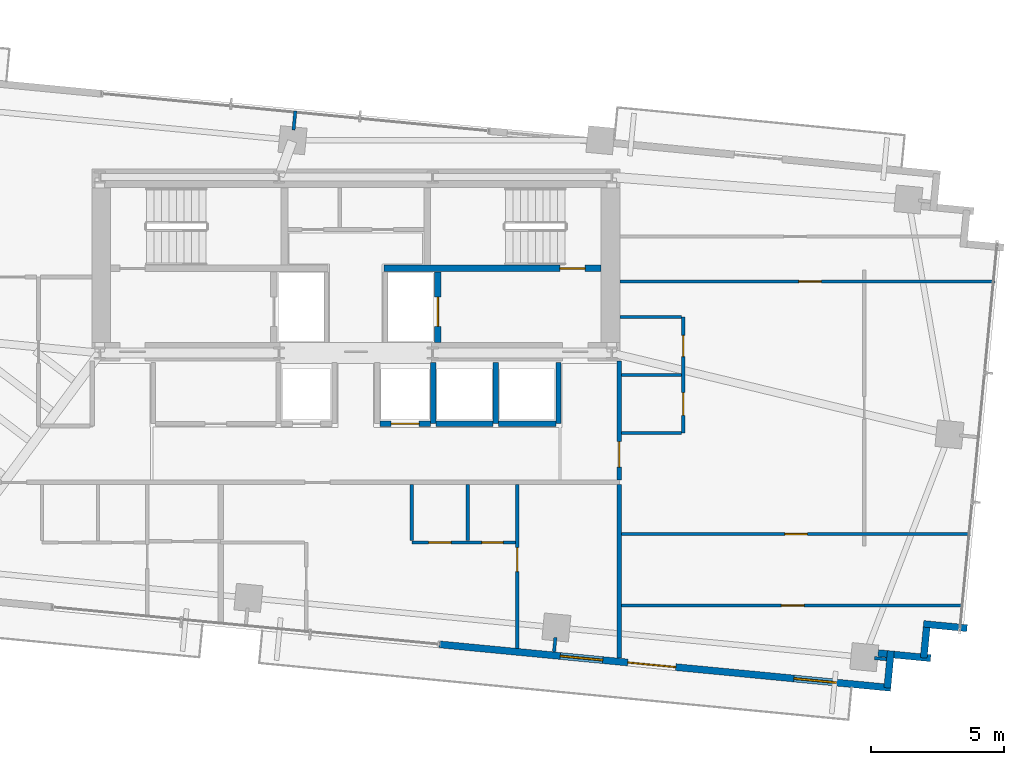
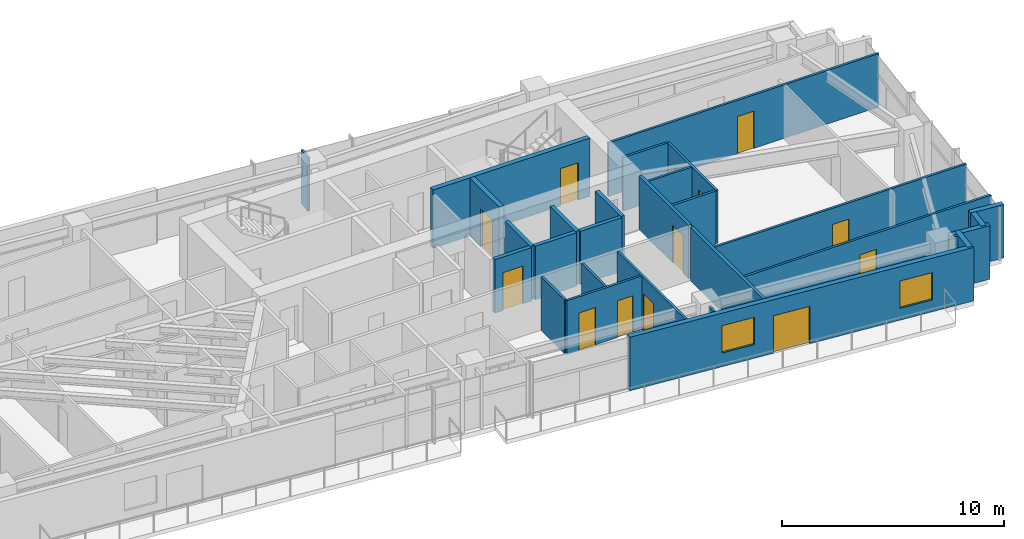
# One storey, part 17 of 20: 29 walls, 13 doors, 2 windows, 15 openings.
"""IFC4 building model written with IfcOpenShell, lengths in metres."""

from ifc_helpers import new_model, si_unit, direction, frame, frame_2d, origin, place, context, subcontext, project, spatial, rectangle, extrude, source, transform, mapped, material, layer, layer_set, type_object, type_shapes, element, fill, save


model = new_model("IFC4")

# Units and contexts
model_context = context("Model", 3, precision=1e-05, world=origin(), true_north=direction((0.0, 1.0)))
body_context = subcontext(model_context, "Body", "Model", "MODEL_VIEW")
ifc_project = project(units=[si_unit("LENGTHUNIT", "METRE"), si_unit("AREAUNIT", "SQUARE_METRE"), si_unit("VOLUMEUNIT", "CUBIC_METRE"), si_unit("PLANEANGLEUNIT", "RADIAN"), si_unit("MASSUNIT", "GRAM", prefix="KILO")], contexts=[model_context])

# Site, building, storey
site_placement = place(None, origin())
site = spatial("IfcSite", under=ifc_project, at=site_placement, CompositionType="ELEMENT")
building_placement = place(site_placement, origin())
building = spatial("IfcBuilding", under=site, at=building_placement, Name="Astriad Promenade Condominiums", CompositionType="ELEMENT")
storey_placement = place(building_placement, frame((0.0, 0.0, 127.800048828125)))
storey = spatial("IfcBuildingStorey", under=building, at=storey_placement, Name="L36", CompositionType="ELEMENT", Elevation=127.800048828125)

# Wall, opening, door
ifc_material_1 = material(Name="Concrete C50/60", Category="concrete")
ifc_layer_1 = layer(ifc_material_1, 0.25)
ifc_layer_set_1 = layer_set([ifc_layer_1], Name="Concrete C50/60")
wall_type_1 = type_object("IfcWallType", Name="WALL-CORE-INT-250", PredefinedType="SOLIDWALL", material=ifc_layer_set_1)
wall_1_placement = place(storey_placement, frame((37.050048828125, 20.574951171875, 0.0), z_axis=(0.0, 0.0, 1.0), x_axis=(1.0, 0.0, 0.0)))
wall_1 = element("IfcWall", 1, at=wall_1_placement, inside=storey, type_object=wall_type_1, Name="CW-INT-H2-L36", PredefinedType="SOLIDWALL", context=body_context, shape_type="SweptSolid", body=[
    extrude(rectangle(XDim=8.14794921875, YDim=0.25, at=frame_2d((4.073974609375, 0.0))), origin(), (0.0, 0.0, 1.0), 3.199951171875),
])
opening_1_placement = place(wall_1_placement, frame((6.60009765625, 0.0, 0.0)))
opening_1 = element("IfcOpeningElement", 2, at=opening_1_placement, cuts=wall_1, Name="Opening FD90-ST-095", PredefinedType="OPENING", context=body_context, shape_type="SweptSolid", body=[
    extrude(rectangle(XDim=0.949951171875, YDim=2.06005859375, at=frame_2d((0.47509765625, 1.030029296875))), frame((0.0, 0.135009765625, 0.0), z_axis=(0.0, -1.0, 0.0), x_axis=(1.0, 0.0, 0.0)), (0.0, 0.0, 1.0), 0.27001953125),
])
ifc_material_2 = material(Name="Fire-Rated Hollow Metal Stair Door")
door_type_1 = type_object("IfcDoorType", Name="FD90-ST-095", OperationType="NOTDEFINED", PredefinedType="DOOR", material=ifc_material_2)
shared_shape_1 = source(origin(), body_context, "Body", "SweptSolid", [
    extrude(rectangle(XDim=0.949951171875, YDim=2.06005859375, at=frame_2d((0.47509765625, 1.030029296875))), frame((0.0, 0.02490234375, 0.0), z_axis=(0.0, -1.0, 0.0), x_axis=(1.0, 0.0, 0.0)), (0.0, 0.0, 1.0), 0.050048828125),
])
type_shapes(door_type_1, [shared_shape_1])
door_1_placement = place(opening_1_placement, origin())
door_1 = element("IfcDoor", 3, at=door_1_placement, inside=storey, type_object=door_type_1, Name="D-ST2-L36", OperationType="SINGLE_SWING_LEFT", OverallHeight=2.06005859375, OverallWidth=0.949951171875, PredefinedType="DOOR", context=body_context, shape_type="MappedRepresentation", body=[
    mapped(shared_shape_1, transform((0.0, 0.0, 0.0), scale=1.0)),
])
fill(opening_1, door_1)

wall_2_placement = place(storey_placement, frame((39.074951171875, 17.802001953125, 0.0), z_axis=(0.0, 0.0, 1.0), x_axis=(0.0, 1.0, 0.0)))
wall_2 = element("IfcWall", 4, at=wall_2_placement, inside=storey, type_object=wall_type_1, Name="CW-FFL2-E-L36", PredefinedType="SOLIDWALL", context=body_context, shape_type="SweptSolid", body=[
    extrude(rectangle(XDim=2.64599609375, YDim=0.25, at=frame_2d((1.322998046875, 0.0))), origin(), (0.0, 0.0, 1.0), 3.199951171875),
])
opening_2_placement = place(wall_2_placement, frame((0.597900390625, 0.0, 0.0)))
opening_2 = element("IfcOpeningElement", 5, at=opening_2_placement, cuts=wall_2, Name="Opening LD-FFL-1122", PredefinedType="OPENING", context=body_context, shape_type="SweptSolid", body=[
    extrude(rectangle(XDim=1.10009765625, YDim=2.080078125, at=frame_2d((0.550048828125, 1.0400390625))), frame((0.0, 0.135009765625, 0.0), z_axis=(0.0, -1.0, 0.0), x_axis=(1.0, 0.0, 0.0)), (0.0, 0.0, 1.0), 0.27001953125),
])
ifc_material_3 = material(Name="Brushed Stainless Steel Fire Elevator Landing Door", Category="steel")
door_type_2 = type_object("IfcDoorType", Name="LD-FFL-1122", OperationType="NOTDEFINED", PredefinedType="DOOR", material=ifc_material_3)
shared_shape_2 = source(origin(), body_context, "Body", "SweptSolid", [
    extrude(rectangle(XDim=1.10009765625, YDim=2.080078125, at=frame_2d((0.550048828125, 1.0400390625))), frame((0.0, 0.02490234375, 0.0), z_axis=(0.0, -1.0, 0.0), x_axis=(1.0, 0.0, 0.0)), (0.0, 0.0, 1.0), 0.050048828125),
])
type_shapes(door_type_2, [shared_shape_2])
door_2_placement = place(opening_2_placement, origin())
door_2 = element("IfcDoor", 6, at=door_2_placement, inside=storey, type_object=door_type_2, Name="Elevator Landing Door FFL-2 (L36)", OperationType="SLIDING_TO_RIGHT", OverallHeight=2.080078125, OverallWidth=1.10009765625, PredefinedType="DOOR", context=body_context, shape_type="MappedRepresentation", body=[
    mapped(shared_shape_2, transform((0.0, 0.0, 0.0), scale=1.0)),
])
fill(opening_2, door_2)

# Wall
ifc_material_4 = material(Name="Fire-Rated Gypsum Partition")
ifc_layer_2 = layer(ifc_material_4, 0.159912109375)
ifc_layer_set_2 = layer_set([ifc_layer_2], Name="Fire-Rated Gypsum Partition")
wall_type_2 = type_object("IfcWallType", Name="WALL-CORR-160", PredefinedType="PARTITIONING", material=ifc_layer_set_2)
wall_3_placement = place(storey_placement, frame((45.8798828125, 5.95849609375, 0.0), z_axis=(0.0, 0.0, 1.0), x_axis=(0.0, 1.0, 0.0)))
element("IfcWall", 7, at=wall_3_placement, inside=storey, type_object=wall_type_2, Name="PT-COR-E-L36", PredefinedType="PARTITIONING", context=body_context, shape_type="SweptSolid", body=[
    extrude(rectangle(XDim=6.509521484375, YDim=0.159912109375, at=frame_2d((3.2548828125, 0.0))), origin(), (0.0, 0.0, 1.0), 2.93994140625),
])

# Wall, opening, door
wall_4_placement = place(storey_placement, frame((45.8798828125, 12.632080078125, 0.0), z_axis=(0.0, 0.0, 1.0), x_axis=(0.0, 1.0, 0.0)))
wall_4 = element("IfcWall", 8, at=wall_4_placement, inside=storey, type_object=wall_type_2, Name="PT-COR-E-L36-S2", PredefinedType="PARTITIONING", context=body_context, shape_type="SweptSolid", body=[
    extrude(rectangle(XDim=4.4658203125, YDim=0.159912109375, at=frame_2d((2.23291015625, 0.0))), origin(), (0.0, 0.0, 1.0), 2.93994140625),
])
opening_3_placement = place(wall_4_placement, frame((0.492919921875, 0.0, 0.0)))
opening_3 = element("IfcOpeningElement", 9, at=opening_3_placement, cuts=wall_4, Name="Opening FD60-APT-095", PredefinedType="OPENING", context=body_context, shape_type="SweptSolid", body=[
    extrude(rectangle(XDim=0.949951171875, YDim=2.06005859375, at=frame_2d((0.47509765625, 1.030029296875))), frame((0.0, 0.08984375, 0.0), z_axis=(0.0, -1.0, 0.0), x_axis=(1.0, 0.0, 0.0)), (0.0, 0.0, 1.0), 0.179931640625),
])
ifc_material_5 = material(Name="Solid-Core Acoustic Timber Residence Entry Door", Category="wood")
door_type_3 = type_object("IfcDoorType", Name="FD60-APT-095", OperationType="NOTDEFINED", PredefinedType="DOOR", material=ifc_material_5)
shared_shape_3 = source(origin(), body_context, "Body", "SweptSolid", [
    extrude(rectangle(XDim=0.949951171875, YDim=2.06005859375, at=frame_2d((0.47509765625, 1.030029296875))), frame((0.0, 0.02490234375, 0.0), z_axis=(0.0, -1.0, 0.0), x_axis=(1.0, 0.0, 0.0)), (0.0, 0.0, 1.0), 0.050048828125),
])
type_shapes(door_type_3, [shared_shape_3])
door_3_placement = place(opening_3_placement, origin())
door_3 = element("IfcDoor", 10, at=door_3_placement, inside=storey, type_object=door_type_3, Name="D-ENT-L36-E1", OperationType="SINGLE_SWING_LEFT", OverallHeight=2.06005859375, OverallWidth=0.949951171875, PredefinedType="DOOR", context=body_context, shape_type="MappedRepresentation", body=[
    mapped(shared_shape_3, transform((0.0, 0.0, 0.0), scale=1.0)),
])
fill(opening_3, door_3)

# Walls
ifc_material_6 = material(Name="Precast concrete C50/60", Category="concrete")
ifc_layer_3 = layer(ifc_material_6, 0.260009765625)
ifc_layer_set_3 = layer_set([ifc_layer_3], Name="Precast concrete C50/60")
wall_type_3 = type_object("IfcWallType", Name="WALL-EXT-TWR-260", PredefinedType="STANDARD", material=ifc_layer_set_3)
wall_5_placement = place(storey_placement, frame((58.918701171875, 7.081787109375, 0.0), z_axis=(0.0, 0.0, 1.0), x_axis=(-0.995393194909, 0.095876939504, 0.0)))
element("IfcWall", 11, at=wall_5_placement, inside=storey, type_object=wall_type_3, Name="W-SER-L36-14", PredefinedType="STANDARD", context=body_context, shape_type="SweptSolid", body=[
    extrude(rectangle(XDim=1.639892578125, YDim=0.260009765625, at=frame_2d((0.81982421875, 0.0))), origin(), (0.0, 0.0, 1.0), 2.93994140625),
])
wall_6_placement = place(storey_placement, frame((57.40478515625, 7.112060546875, 0.0), z_axis=(0.0, 0.0, 1.0), x_axis=(-0.095971333708, -0.995384098279, 0.0)))
element("IfcWall", 12, at=wall_6_placement, inside=storey, type_object=wall_type_3, Name="W-SER-L36-15", PredefinedType="STANDARD", context=body_context, shape_type="SweptSolid", body=[
    extrude(rectangle(XDim=1.14990234375, YDim=0.260009765625, at=frame_2d((0.574951171875, 0.0))), origin(), (0.0, 0.0, 1.0), 2.93994140625),
])
wall_7_placement = place(storey_placement, frame((57.5546875, 5.95751953125, 0.0), z_axis=(0.0, 0.0, 1.0), x_axis=(-0.995401789159, 0.095787672171, 0.0)))
element("IfcWall", 13, at=wall_7_placement, inside=storey, type_object=wall_type_3, Name="W-SER-L36-16", PredefinedType="STANDARD", context=body_context, shape_type="SweptSolid", body=[
    extrude(rectangle(XDim=1.977783203125, YDim=0.260009765625, at=frame_2d((0.98876953125, 0.0))), origin(), (0.0, 0.0, 1.0), 2.93994140625),
])
wall_8_placement = place(storey_placement, frame((56.064208984375, 6.231689453125, 0.0), z_axis=(0.0, 0.0, 1.0), x_axis=(-0.09589913835, -0.995391056452, 0.0)))
element("IfcWall", 14, at=wall_8_placement, inside=storey, type_object=wall_type_3, Name="W-SER-L36-17", PredefinedType="STANDARD", context=body_context, shape_type="SweptSolid", body=[
    extrude(rectangle(XDim=1.39501953125, YDim=0.260009765625, at=frame_2d((0.697509765625, 0.0))), origin(), (0.0, 0.0, 1.0), 2.93994140625),
])

# Wall, openings, door, windows
wall_9_placement = place(storey_placement, frame((56.061279296875, 4.845458984375, 0.0), z_axis=(0.0, 0.0, 1.0), x_axis=(-0.995395976631, 0.095848055311, 0.0)))
wall_9 = element("IfcWall", 15, at=wall_9_placement, inside=storey, type_object=wall_type_3, Name="W-EXT-L36-S1", PredefinedType="STANDARD", context=body_context, shape_type="SweptSolid", body=[
    extrude(rectangle(XDim=17.010009765625, YDim=0.260009765625, at=frame_2d((8.5048828125, 0.0))), origin(), (0.0, 0.0, 1.0), 2.93994140625),
])
opening_4_placement = place(wall_9_placement, frame((8.10400390625, 0.0, 0.0)))
opening_4 = element("IfcOpeningElement", 16, at=opening_4_placement, cuts=wall_9, Name="Opening BD-1822-SLD", PredefinedType="OPENING", context=body_context, shape_type="SweptSolid", body=[
    extrude(rectangle(XDim=1.800048828125, YDim=2.06005859375, at=frame_2d((0.89990234375, 1.030029296875))), frame((0.0, 0.139892578125, 0.0), z_axis=(0.0, -1.0, 0.0), x_axis=(1.0, 0.0, 0.0)), (0.0, 0.0, 1.0), 0.280029296875),
])
opening_5_placement = place(wall_9_placement, frame((2.050048828125, 0.0, 0.64990234375)))
opening_5 = element("IfcOpeningElement", 17, at=opening_5_placement, cuts=wall_9, Name="Opening WIN-TWR-1620", PredefinedType="OPENING", context=body_context, shape_type="SweptSolid", body=[
    extrude(rectangle(XDim=1.60009765625, YDim=1.5, at=frame_2d((0.800048828125, 0.75))), frame((0.0, 0.139892578125, 0.0), z_axis=(0.0, -1.0, 0.0), x_axis=(1.0, 0.0, 0.0)), (0.0, 0.0, 1.0), 0.280029296875),
])
opening_6_placement = place(wall_9_placement, frame((10.85205078125, 0.0, 0.75)))
opening_6 = element("IfcOpeningElement", 18, at=opening_6_placement, cuts=wall_9, Name="Opening WIN-TWR-1620", PredefinedType="OPENING", context=body_context, shape_type="SweptSolid", body=[
    extrude(rectangle(XDim=1.60009765625, YDim=1.5, at=frame_2d((0.800048828125, 0.75))), frame((0.0, 0.139892578125, 0.0), z_axis=(0.0, -1.0, 0.0), x_axis=(1.0, 0.0, 0.0)), (0.0, 0.0, 1.0), 0.280029296875),
])
ifc_material_7 = material(Name="Thermally Broken Aluminium Sliding Balcony Door", Category="aluminium")
door_type_4 = type_object("IfcDoorType", Name="BD-1822-SLD", OperationType="NOTDEFINED", PredefinedType="DOOR", material=ifc_material_7)
shared_shape_4 = source(origin(), body_context, "Body", "SweptSolid", [
    extrude(rectangle(XDim=1.800048828125, YDim=2.06005859375, at=frame_2d((0.89990234375, 1.030029296875))), frame((0.0, 0.02490234375, 0.0), z_axis=(0.0, -1.0, 0.0), x_axis=(1.0, 0.0, 0.0)), (0.0, 0.0, 1.0), 0.050048828125),
])
type_shapes(door_type_4, [shared_shape_4])
door_4_placement = place(opening_4_placement, origin())
door_4 = element("IfcDoor", 19, at=door_4_placement, inside=storey, type_object=door_type_4, Name="BD-L36-SE", OperationType="SLIDING_TO_RIGHT", OverallHeight=2.06005859375, OverallWidth=1.800048828125, PredefinedType="DOOR", context=body_context, shape_type="MappedRepresentation", body=[
    mapped(shared_shape_4, transform((0.0, 0.0, 0.0), scale=1.0)),
])
fill(opening_4, door_4)
ifc_material_8 = material(Name="Dark Tinted Triple-Glazed Aluminium Window", Category="aluminium")
window_type = type_object("IfcWindowType", Name="WIN-TWR-1620", PartitioningType="SINGLE_PANEL", PredefinedType="WINDOW", material=ifc_material_8)
shared_shape_5 = source(origin(), body_context, "Body", "SweptSolid", [
    extrude(rectangle(XDim=1.60009765625, YDim=1.5, at=frame_2d((0.800048828125, 0.75))), frame((0.0, 0.030029296875, 0.0), z_axis=(0.0, -1.0, 0.0), x_axis=(1.0, 0.0, 0.0)), (0.0, 0.0, 1.0), 0.06005859375),
])
type_shapes(window_type, [shared_shape_5])
window_1_placement = place(opening_5_placement, origin())
window_1 = element("IfcWindow", 20, at=window_1_placement, inside=storey, type_object=window_type, Name="WIN-L36-SE", OverallHeight=1.5, OverallWidth=1.60009765625, PartitioningType="SINGLE_PANEL", PredefinedType="WINDOW", context=body_context, shape_type="MappedRepresentation", body=[
    mapped(shared_shape_5, transform((0.0, 0.0, 0.0), scale=1.0)),
])
fill(opening_5, window_1)
window_2_placement = place(opening_6_placement, origin())
window_2 = element("IfcWindow", 21, at=window_2_placement, inside=storey, type_object=window_type, Name="WIN-DW-L36-S2-BD1", OverallHeight=1.5, OverallWidth=1.60009765625, PartitioningType="SINGLE_PANEL", PredefinedType="WINDOW", context=body_context, shape_type="MappedRepresentation", body=[
    mapped(shared_shape_5, transform((0.0, 0.0, 0.0), scale=1.0)),
])
fill(opening_6, window_2)

# Wall, opening, door
ifc_material_9 = material(Name="Acoustic Metal-Stud Gypsum Partition")
ifc_layer_4 = layer(ifc_material_9, 0.1201171875)
ifc_layer_set_4 = layer_set([ifc_layer_4], Name="Acoustic Metal-Stud Gypsum Partition")
wall_type_4 = type_object("IfcWallType", Name="WALL-PART-120", PredefinedType="PARTITIONING", material=ifc_layer_set_4)
wall_10_placement = place(storey_placement, frame((42.050048828125, 6.3271484375, 0.0), z_axis=(0.0, 0.0, 1.0), x_axis=(0.0, 1.0, 0.0)))
wall_10 = element("IfcWall", 22, at=wall_10_placement, inside=storey, type_object=wall_type_4, Name="PT-L36-S2-BD1", PredefinedType="PARTITIONING", context=body_context, shape_type="SweptSolid", body=[
    extrude(rectangle(XDim=6.140869140625, YDim=0.1201171875, at=frame_2d((3.0703125, 0.0))), origin(), (0.0, 0.0, 1.0), 2.93994140625),
])
opening_7_placement = place(wall_10_placement, frame((2.872802734375, 0.0, 0.0)))
opening_7 = element("IfcOpeningElement", 23, at=opening_7_placement, cuts=wall_10, Name="Opening D-INT-090", PredefinedType="OPENING", context=body_context, shape_type="SweptSolid", body=[
    extrude(rectangle(XDim=0.89990234375, YDim=2.050048828125, at=frame_2d((0.449951171875, 1.02490234375))), frame((0.0, 0.070068359375, 0.0), z_axis=(0.0, -1.0, 0.0), x_axis=(1.0, 0.0, 0.0)), (0.0, 0.0, 1.0), 0.14013671875),
])
ifc_material_10 = material(Name="Painted Solid-Core Timber Bedroom Door", Category="wood")
door_type_5 = type_object("IfcDoorType", Name="D-INT-090", OperationType="NOTDEFINED", PredefinedType="DOOR", material=ifc_material_10)
shared_shape_6 = source(origin(), body_context, "Body", "SweptSolid", [
    extrude(rectangle(XDim=0.89990234375, YDim=2.050048828125, at=frame_2d((0.449951171875, 1.02490234375))), frame((0.0, 0.02490234375, 0.0), z_axis=(0.0, -1.0, 0.0), x_axis=(1.0, 0.0, 0.0)), (0.0, 0.0, 1.0), 0.050048828125),
])
type_shapes(door_type_5, [shared_shape_6])
door_5_placement = place(opening_7_placement, origin())
door_5 = element("IfcDoor", 24, at=door_5_placement, inside=storey, type_object=door_type_5, Name="D-BD1-L36-S2", OperationType="SINGLE_SWING_RIGHT", OverallHeight=2.050048828125, OverallWidth=0.89990234375, PredefinedType="DOOR", context=body_context, shape_type="MappedRepresentation", body=[
    mapped(shared_shape_6, transform((0.0, 0.0, 0.0), scale=1.0)),
])
fill(opening_7, door_5)

# Wall, openings, doors
wall_11_placement = place(storey_placement, frame((38.10009765625, 10.300048828125, 0.0), z_axis=(0.0, 0.0, 1.0), x_axis=(1.0, 0.0, 0.0)))
wall_11 = element("IfcWall", 25, at=wall_11_placement, inside=storey, type_object=wall_type_4, Name="PT-L36-S2-PS", PredefinedType="PARTITIONING", context=body_context, shape_type="SweptSolid", body=[
    extrude(rectangle(XDim=3.887939453125, YDim=0.1201171875, at=frame_2d((1.94384765625, 0.0))), origin(), (0.0, 0.0, 1.0), 2.93994140625),
])
opening_8_placement = place(wall_11_placement, frame((0.625, 0.0, 0.0)))
opening_8 = element("IfcOpeningElement", 26, at=opening_8_placement, cuts=wall_11, Name="Opening D-INT-085", PredefinedType="OPENING", context=body_context, shape_type="SweptSolid", body=[
    extrude(rectangle(XDim=0.85009765625, YDim=2.050048828125, at=frame_2d((0.425048828125, 1.02490234375))), frame((0.0, 0.070068359375, 0.0), z_axis=(0.0, -1.0, 0.0), x_axis=(1.0, 0.0, 0.0)), (0.0, 0.0, 1.0), 0.14013671875),
])
opening_9_placement = place(wall_11_placement, frame((2.625, 0.0, 0.0)))
opening_9 = element("IfcOpeningElement", 27, at=opening_9_placement, cuts=wall_11, Name="Opening D-WET-080", PredefinedType="OPENING", context=body_context, shape_type="SweptSolid", body=[
    extrude(rectangle(XDim=0.800048828125, YDim=2.02001953125, at=frame_2d((0.39990234375, 1.010009765625))), frame((0.0, 0.070068359375, 0.0), z_axis=(0.0, -1.0, 0.0), x_axis=(1.0, 0.0, 0.0)), (0.0, 0.0, 1.0), 0.14013671875),
])
ifc_material_11 = material(Name="Moisture-Resistant Timber Bathroom Door", Category="wood")
door_type_6 = type_object("IfcDoorType", Name="D-WET-080", OperationType="NOTDEFINED", PredefinedType="DOOR", material=ifc_material_11)
shared_shape_7 = source(origin(), body_context, "Body", "SweptSolid", [
    extrude(rectangle(XDim=0.800048828125, YDim=2.02001953125, at=frame_2d((0.39990234375, 1.010009765625))), frame((0.0, 0.02490234375, 0.0), z_axis=(0.0, -1.0, 0.0), x_axis=(1.0, 0.0, 0.0)), (0.0, 0.0, 1.0), 0.050048828125),
])
type_shapes(door_type_6, [shared_shape_7])
door_6_placement = place(opening_9_placement, origin())
door_6 = element("IfcDoor", 28, at=door_6_placement, inside=storey, type_object=door_type_6, Name="D-BTH-L36-S2", OperationType="SINGLE_SWING_RIGHT", OverallHeight=2.02001953125, OverallWidth=0.800048828125, PredefinedType="DOOR", context=body_context, shape_type="MappedRepresentation", body=[
    mapped(shared_shape_7, transform((0.0, 0.0, 0.0), scale=1.0)),
])
fill(opening_9, door_6)
ifc_material_12 = material(Name="Painted Solid-Core Timber Room Door", Category="wood")
door_type_7 = type_object("IfcDoorType", Name="D-INT-085", OperationType="NOTDEFINED", PredefinedType="DOOR", material=ifc_material_12)
shared_shape_8 = source(origin(), body_context, "Body", "SweptSolid", [
    extrude(rectangle(XDim=0.85009765625, YDim=2.050048828125, at=frame_2d((0.425048828125, 1.02490234375))), frame((0.0, 0.02490234375, 0.0), z_axis=(0.0, -1.0, 0.0), x_axis=(1.0, 0.0, 0.0)), (0.0, 0.0, 1.0), 0.050048828125),
])
type_shapes(door_type_7, [shared_shape_8])
door_7_placement = place(opening_8_placement, origin())
door_7 = element("IfcDoor", 29, at=door_7_placement, inside=storey, type_object=door_type_7, Name="D-KIT-L36-S2", OperationType="SINGLE_SWING_LEFT", OverallHeight=2.050048828125, OverallWidth=0.85009765625, PredefinedType="DOOR", context=body_context, shape_type="MappedRepresentation", body=[
    mapped(shared_shape_8, transform((0.0, 0.0, 0.0), scale=1.0)),
])
fill(opening_8, door_7)

# Walls
for number, where, z_axis, x_axis, name in (
    (30, (40.199951171875, 10.362060546875, 0.0), (0.0, 0.0, 1.0), (0.0, 1.0, 0.0), "PT-L36-S2-PBK"),
    (31, (38.10009765625, 10.362060546875, 0.0), (0.0, 0.0, 1.0), (0.0, 1.0, 0.0), "PT-L36-S2-PKW"),
):
    element("IfcWall", number, at=place(storey_placement, frame(where, z_axis=z_axis, x_axis=x_axis)), inside=storey, type_object=wall_type_4, Name=name, PredefinedType="PARTITIONING", context=body_context, shape_type="SweptSolid", body=[
        extrude(rectangle(XDim=2.10595703125, YDim=0.1201171875, at=frame_2d((1.052978515625, 0.0))), origin(), (0.0, 0.0, 1.0), 2.93994140625),
    ])

# Wall, openings, doors
wall_12_placement = place(storey_placement, frame((48.280029296875, 14.39990234375, 0.0), z_axis=(0.0, 0.0, 1.0), x_axis=(0.0, 1.0, 0.0)))
wall_12 = element("IfcWall", 32, at=wall_12_placement, inside=storey, type_object=wall_type_4, Name="PT-L36-E1-PV", PredefinedType="PARTITIONING", context=body_context, shape_type="SweptSolid", body=[
    extrude(rectangle(XDim=4.35009765625, YDim=0.1201171875, at=frame_2d((2.175048828125, 0.0))), origin(), (0.0, 0.0, 1.0), 2.93994140625),
])
opening_10_placement = place(wall_12_placement, frame((0.6630859375, 0.0, 0.0)))
opening_10 = element("IfcOpeningElement", 33, at=opening_10_placement, cuts=wall_12, Name="Opening D-INT-085", PredefinedType="OPENING", context=body_context, shape_type="SweptSolid", body=[
    extrude(rectangle(XDim=0.85009765625, YDim=2.050048828125, at=frame_2d((0.425048828125, 1.02490234375))), frame((0.0, 0.070068359375, 0.0), z_axis=(0.0, -1.0, 0.0), x_axis=(1.0, 0.0, 0.0)), (0.0, 0.0, 1.0), 0.14013671875),
])
opening_11_placement = place(wall_12_placement, frame((2.863037109375, 0.0, 0.0)))
opening_11 = element("IfcOpeningElement", 34, at=opening_11_placement, cuts=wall_12, Name="Opening D-WET-080", PredefinedType="OPENING", context=body_context, shape_type="SweptSolid", body=[
    extrude(rectangle(XDim=0.800048828125, YDim=2.02001953125, at=frame_2d((0.39990234375, 1.010009765625))), frame((0.0, 0.070068359375, 0.0), z_axis=(0.0, -1.0, 0.0), x_axis=(1.0, 0.0, 0.0)), (0.0, 0.0, 1.0), 0.14013671875),
])
door_8_placement = place(opening_11_placement, origin())
door_8 = element("IfcDoor", 35, at=door_8_placement, inside=storey, type_object=door_type_6, Name="D-BTH-L36-E1", OperationType="SINGLE_SWING_LEFT", OverallHeight=2.02001953125, OverallWidth=0.800048828125, PredefinedType="DOOR", context=body_context, shape_type="MappedRepresentation", body=[
    mapped(shared_shape_7, transform((0.0, 0.0, 0.0), scale=1.0)),
])
fill(opening_11, door_8)
door_9_placement = place(opening_10_placement, origin())
door_9 = element("IfcDoor", 36, at=door_9_placement, inside=storey, type_object=door_type_7, Name="D-KIT-L36-E1", OperationType="SINGLE_SWING_RIGHT", OverallHeight=2.050048828125, OverallWidth=0.85009765625, PredefinedType="DOOR", context=body_context, shape_type="MappedRepresentation", body=[
    mapped(shared_shape_8, transform((0.0, 0.0, 0.0), scale=1.0)),
])
fill(opening_10, door_9)

# Walls
for number, where, z_axis, x_axis, name in (
    (37, (45.9619140625, 16.574951171875, 0.0), (0.0, 0.0, 1.0), (1.0, 0.0, 0.0), "PT-L36-E1-PM"),
    (38, (45.9619140625, 14.39990234375, 0.0), (0.0, 0.0, 1.0), (1.0, 0.0, 0.0), "PT-L36-E1-PS"),
):
    element("IfcWall", number, at=place(storey_placement, frame(where, z_axis=z_axis, x_axis=x_axis)), inside=storey, type_object=wall_type_4, Name=name, PredefinedType="PARTITIONING", context=body_context, shape_type="SweptSolid", body=[
        extrude(rectangle(XDim=2.256103515625, YDim=0.1201171875, at=frame_2d((1.1279296875, 0.0))), origin(), (0.0, 0.0, 1.0), 2.93994140625),
    ])
wall_13_placement = place(storey_placement, frame((45.902099609375, 18.75, 0.0), z_axis=(0.0, 0.0, 1.0), x_axis=(1.0, 0.0, 0.0)))
element("IfcWall", 39, at=wall_13_placement, inside=storey, type_object=wall_type_4, Name="PT-L36-E1-PN", PredefinedType="PARTITIONING", context=body_context, shape_type="SweptSolid", body=[
    extrude(rectangle(XDim=2.31591796875, YDim=0.1201171875, at=frame_2d((1.157958984375, 0.0))), origin(), (0.0, 0.0, 1.0), 2.93994140625),
])

# Wall, opening, door
wall_14_placement = place(storey_placement, frame((45.9619140625, 7.931884765625, 0.0), z_axis=(0.0, 0.0, 1.0), x_axis=(1.0, 0.0, 0.0)))
wall_14 = element("IfcWall", 40, at=wall_14_placement, inside=storey, type_object=wall_type_4, Name="PT-L36-E1-B2", PredefinedType="PARTITIONING", context=body_context, shape_type="SweptSolid", body=[
    extrude(rectangle(XDim=12.827880859375, YDim=0.1201171875, at=frame_2d((6.4140625, 0.0))), origin(), (0.0, 0.0, 1.0), 2.93994140625),
])
opening_12_placement = place(wall_14_placement, frame((5.9951171875, 0.0, 0.0)))
opening_12 = element("IfcOpeningElement", 41, at=opening_12_placement, cuts=wall_14, Name="Opening D-INT-085", PredefinedType="OPENING", context=body_context, shape_type="SweptSolid", body=[
    extrude(rectangle(XDim=0.85009765625, YDim=2.050048828125, at=frame_2d((0.425048828125, 1.02490234375))), frame((0.0, 0.070068359375, 0.0), z_axis=(0.0, -1.0, 0.0), x_axis=(1.0, 0.0, 0.0)), (0.0, 0.0, 1.0), 0.14013671875),
])
door_10_placement = place(opening_12_placement, origin())
door_10 = element("IfcDoor", 42, at=door_10_placement, inside=storey, type_object=door_type_7, Name="D-BD2-L36-E1", OperationType="SINGLE_SWING_LEFT", OverallHeight=2.050048828125, OverallWidth=0.85009765625, PredefinedType="DOOR", context=body_context, shape_type="MappedRepresentation", body=[
    mapped(shared_shape_8, transform((0.0, 0.0, 0.0), scale=1.0)),
])
fill(opening_12, door_10)

wall_15_placement = place(storey_placement, frame((45.9619140625, 10.60888671875, 0.0), z_axis=(0.0, 0.0, 1.0), x_axis=(1.0, 0.0, 0.0)))
wall_15 = element("IfcWall", 43, at=wall_15_placement, inside=storey, type_object=wall_type_4, Name="PT-L36-E1-WDS1", PredefinedType="PARTITIONING", context=body_context, shape_type="SweptSolid", body=[
    extrude(rectangle(XDim=13.08544921875, YDim=0.1201171875, at=frame_2d((6.542724609375, 0.0))), origin(), (0.0, 0.0, 1.0), 2.93994140625),
])
opening_13_placement = place(wall_15_placement, frame((6.1240234375, 0.0, 0.0)))
opening_13 = element("IfcOpeningElement", 44, at=opening_13_placement, cuts=wall_15, Name="Opening D-INT-085", PredefinedType="OPENING", context=body_context, shape_type="SweptSolid", body=[
    extrude(rectangle(XDim=0.85009765625, YDim=2.050048828125, at=frame_2d((0.425048828125, 1.02490234375))), frame((0.0, 0.070068359375, 0.0), z_axis=(0.0, -1.0, 0.0), x_axis=(1.0, 0.0, 0.0)), (0.0, 0.0, 1.0), 0.14013671875),
])
door_11_placement = place(opening_13_placement, origin())
door_11 = element("IfcDoor", 45, at=door_11_placement, inside=storey, type_object=door_type_7, Name="D-WDS1-L36-E1", OperationType="SINGLE_SWING_RIGHT", OverallHeight=2.050048828125, OverallWidth=0.85009765625, PredefinedType="DOOR", context=body_context, shape_type="MappedRepresentation", body=[
    mapped(shared_shape_8, transform((0.0, 0.0, 0.0), scale=1.0)),
])
fill(opening_13, door_11)

wall_16_placement = place(storey_placement, frame((45.902099609375, 20.0810546875, 0.0), z_axis=(0.0, 0.0, 1.0), x_axis=(1.0, 0.0, 0.0)))
wall_16 = element("IfcWall", 46, at=wall_16_placement, inside=storey, type_object=wall_type_4, Name="PT-L36-E1-WDN2", PredefinedType="PARTITIONING", context=body_context, shape_type="SweptSolid", body=[
    extrude(rectangle(XDim=14.057373046875, YDim=0.1201171875, at=frame_2d((7.02880859375, 0.0))), origin(), (0.0, 0.0, 1.0), 2.93994140625),
])
opening_14_placement = place(wall_16_placement, frame((6.7080078125, 0.0, 0.0)))
opening_14 = element("IfcOpeningElement", 47, at=opening_14_placement, cuts=wall_16, Name="Opening D-INT-085", PredefinedType="OPENING", context=body_context, shape_type="SweptSolid", body=[
    extrude(rectangle(XDim=0.85009765625, YDim=2.050048828125, at=frame_2d((0.425048828125, 1.02490234375))), frame((0.0, 0.070068359375, 0.0), z_axis=(0.0, -1.0, 0.0), x_axis=(1.0, 0.0, 0.0)), (0.0, 0.0, 1.0), 0.14013671875),
])
door_12_placement = place(opening_14_placement, origin())
door_12 = element("IfcDoor", 48, at=door_12_placement, inside=storey, type_object=door_type_7, Name="D-WDN2-L36-E1", OperationType="SINGLE_SWING_LEFT", OverallHeight=2.050048828125, OverallWidth=0.85009765625, PredefinedType="DOOR", context=body_context, shape_type="MappedRepresentation", body=[
    mapped(shared_shape_8, transform((0.0, 0.0, 0.0), scale=1.0)),
])
fill(opening_14, door_12)

# Walls
wall_17_placement = place(storey_placement, frame((43.48388671875, 6.7294921875, 0.0), z_axis=(0.0, 0.0, 1.0), x_axis=(-0.095772948675, -0.995403205893, 0.0)))
element("IfcWall", 49, at=wall_17_placement, inside=storey, type_object=wall_type_4, Name="PT-PIL-L36-PC04-11", PredefinedType="PARTITIONING", context=body_context, shape_type="SweptSolid", body=[
    extrude(rectangle(XDim=0.537841796875, YDim=0.1201171875, at=frame_2d((0.26904296875, 0.0))), origin(), (0.0, 0.0, 1.0), 2.93994140625),
])
wall_18_placement = place(storey_placement, frame((55.4453125, 5.959716796875, 0.0), z_axis=(0.0, 0.0, 1.0), x_axis=(0.995384576284, -0.09596637586, 0.0)))
element("IfcWall", 50, at=wall_18_placement, inside=storey, type_object=wall_type_4, Name="PT-PIL-L36-PC05-12", PredefinedType="PARTITIONING", context=body_context, shape_type="SweptSolid", body=[
    extrude(rectangle(XDim=0.4580078125, YDim=0.1201171875, at=frame_2d((0.22900390625, 0.0))), origin(), (0.0, 0.0, 1.0), 2.93994140625),
])
wall_19_placement = place(storey_placement, frame((33.66259765625, 25.758544921875, 0.0), z_axis=(0.0, 0.0, 1.0), x_axis=(0.095977354523, 0.995383517755, 0.0)))
element("IfcWall", 51, at=wall_19_placement, inside=storey, type_object=wall_type_4, Name="PT-PIL-L36-PC08-15", PredefinedType="PARTITIONING", context=body_context, shape_type="SweptSolid", body=[
    extrude(rectangle(XDim=0.719970703125, YDim=0.1201171875, at=frame_2d((0.35986328125, 0.0))), origin(), (0.0, 0.0, 1.0), 2.93994140625),
])
ifc_material_13 = material(Name="Gypsum Shaftliner Assembly")
ifc_layer_5 = layer(ifc_material_13, 0.199951171875)
ifc_layer_set_5 = layer_set([ifc_layer_5], Name="Gypsum Shaftliner Assembly")
wall_type_5 = type_object("IfcWallType", Name="WALL-SHAFT-200", PredefinedType="PARTITIONING", material=ifc_layer_set_5)
wall_20_placement = place(storey_placement, frame((38.89990234375, 14.75, 0.0), z_axis=(0.0, 0.0, 1.0), x_axis=(0.0, 1.0, 0.0)))
element("IfcWall", 52, at=wall_20_placement, inside=storey, type_object=wall_type_5, Name="PL-MH-DIV-L36", PredefinedType="PARTITIONING", context=body_context, shape_type="SweptSolid", body=[
    extrude(rectangle(XDim=2.300048828125, YDim=0.199951171875, at=frame_2d((1.14990234375, 0.0))), origin(), (0.0, 0.0, 1.0), 2.93994140625),
])

# Wall, opening, door
wall_21_placement = place(storey_placement, frame((36.902099609375, 14.75, 0.0), z_axis=(0.0, 0.0, 1.0), x_axis=(1.0, 0.0, 0.0)))
wall_21 = element("IfcWall", 53, at=wall_21_placement, inside=storey, type_object=wall_type_5, Name="PL-M2-F-L36", PredefinedType="PARTITIONING", context=body_context, shape_type="SweptSolid", body=[
    extrude(rectangle(XDim=1.89599609375, YDim=0.199951171875, at=frame_2d((0.947998046875, 0.0))), origin(), (0.0, 0.0, 1.0), 2.93994140625),
])
opening_15_placement = place(wall_21_placement, frame((0.423095703125, 0.0, 0.0)))
opening_15 = element("IfcOpeningElement", 54, at=opening_15_placement, cuts=wall_21, Name="Opening LD-PL-10522", PredefinedType="OPENING", context=body_context, shape_type="SweptSolid", body=[
    extrude(rectangle(XDim=1.050048828125, YDim=2.080078125, at=frame_2d((0.52490234375, 1.0400390625))), frame((0.0, 0.10986328125, 0.0), z_axis=(0.0, -1.0, 0.0), x_axis=(1.0, 0.0, 0.0)), (0.0, 0.0, 1.0), 0.219970703125),
])
ifc_material_14 = material(Name="Brushed Bronze Passenger Elevator Landing Door")
door_type_8 = type_object("IfcDoorType", Name="LD-PL-10522", OperationType="NOTDEFINED", PredefinedType="DOOR", material=ifc_material_14)
shared_shape_9 = source(origin(), body_context, "Body", "SweptSolid", [
    extrude(rectangle(XDim=1.050048828125, YDim=2.080078125, at=frame_2d((0.52490234375, 1.0400390625))), frame((0.0, 0.02490234375, 0.0), z_axis=(0.0, -1.0, 0.0), x_axis=(1.0, 0.0, 0.0)), (0.0, 0.0, 1.0), 0.050048828125),
])
type_shapes(door_type_8, [shared_shape_9])
door_13_placement = place(opening_15_placement, origin())
door_13 = element("IfcDoor", 55, at=door_13_placement, inside=storey, type_object=door_type_8, Name="Elevator Landing Door PL-M2 (L36)", OperationType="SLIDING_TO_RIGHT", OverallHeight=2.080078125, OverallWidth=1.050048828125, PredefinedType="DOOR", context=body_context, shape_type="MappedRepresentation", body=[
    mapped(shared_shape_9, transform((0.0, 0.0, 0.0), scale=1.0)),
])
fill(opening_15, door_13)

# Walls
for number, where, z_axis, x_axis, name in (
    (56, (41.25, 14.75, 0.0), (0.0, 0.0, 1.0), (0.0, 1.0, 0.0), "PL-H-DIV-L36"),
    (57, (43.60009765625, 14.75, 0.0), (0.0, 0.0, 1.0), (0.0, 1.0, 0.0), "PL-E-OUT-L36"),
):
    element("IfcWall", number, at=place(storey_placement, frame(where, z_axis=z_axis, x_axis=x_axis)), inside=storey, type_object=wall_type_5, Name=name, PredefinedType="PARTITIONING", context=body_context, shape_type="SweptSolid", body=[
        extrude(rectangle(XDim=2.300048828125, YDim=0.199951171875, at=frame_2d((1.14990234375, 0.0))), origin(), (0.0, 0.0, 1.0), 2.93994140625),
    ])
for number, where, z_axis, x_axis, name in (
    (58, (39.001953125, 14.75, 0.0), (0.0, 0.0, 1.0), (1.0, 0.0, 0.0), "PL-H-FRT-L36"),
    (59, (41.35205078125, 14.75, 0.0), (0.0, 0.0, 1.0), (1.0, 0.0, 0.0), "PL-H-FRT-L36-S2"),
):
    element("IfcWall", number, at=place(storey_placement, frame(where, z_axis=z_axis, x_axis=x_axis)), inside=storey, type_object=wall_type_5, Name=name, PredefinedType="PARTITIONING", context=body_context, shape_type="SweptSolid", body=[
        extrude(rectangle(XDim=2.14599609375, YDim=0.199951171875, at=frame_2d((1.072998046875, 0.0))), origin(), (0.0, 0.0, 1.0), 2.93994140625),
    ])

save(model, "model.ifc")
